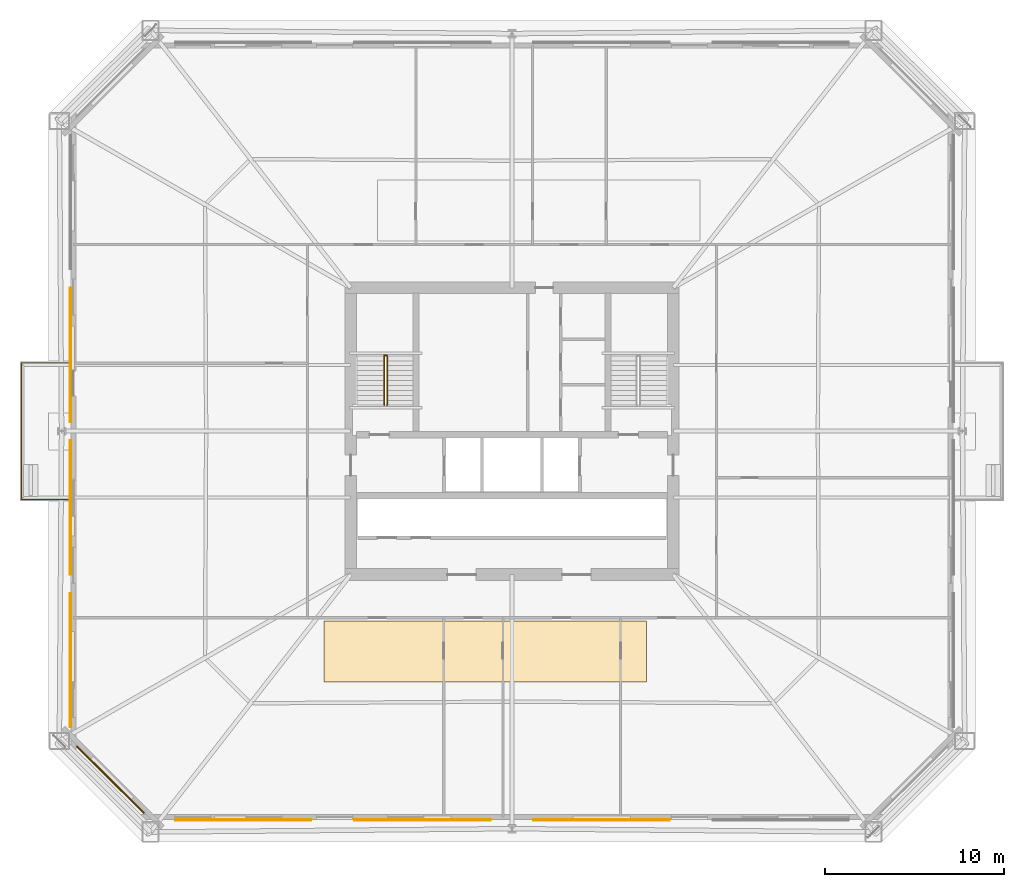
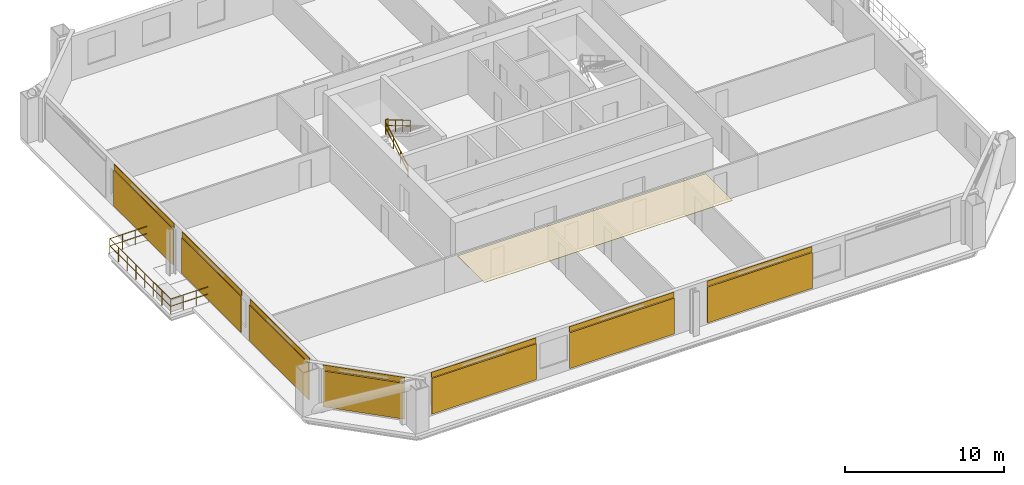
# One storey, part 9 of 11: 8 coverings, 7 shading devices, 4 railings.
"""IFC4 building model written with IfcOpenShell, lengths in metres."""

from ifc_helpers import new_model, si_unit, direction, frame, origin, origin_2d, place, context, subcontext, project, spatial, polyline, rectangle, circle, outline, extrude, material, layer, layer_set, type_object, element, save


model = new_model("IFC4")

# Units and contexts
model_context = context("Model", 3, precision=1e-05, world=origin(), true_north=direction((0.0, 1.0)))
body_context = subcontext(model_context, "Body", "Model", "MODEL_VIEW")
ifc_project = project(units=[si_unit("LENGTHUNIT", "METRE"), si_unit("AREAUNIT", "SQUARE_METRE"), si_unit("VOLUMEUNIT", "CUBIC_METRE"), si_unit("PLANEANGLEUNIT", "RADIAN"), si_unit("MASSUNIT", "GRAM", prefix="KILO")], contexts=[model_context])

# Site, building, storey
site_placement = place(None, origin())
site = spatial("IfcSite", under=ifc_project, at=site_placement, CompositionType="ELEMENT")
building_placement = place(site_placement, origin())
building = spatial("IfcBuilding", under=site, at=building_placement, Name="Caelvoria Tower", CompositionType="ELEMENT")
storey_placement = place(building_placement, frame((0.0, 0.0, 64.0)))
storey = spatial("IfcBuildingStorey", under=building, at=storey_placement, Name="L16", CompositionType="ELEMENT", Elevation=64.0)

# Railing
ifc_material_1 = material(Name="Bronze Anodised Aluminium and Stainless Steel", Category="steel")
railing_type_1 = type_object("IfcRailingType", Name="Exterior Terrace and Balcony Guardrail 1150", PredefinedType="GUARDRAIL", material=ifc_material_1)
railing_1_placement = place(storey_placement, frame((21.389892578125, 28.179931640625, 0.0)))
element("IfcRailing", 1, at=railing_1_placement, inside=storey, type_object=railing_type_1, Name="Tree Balcony Guardrail TB-L16-W", PredefinedType="GUARDRAIL", context=body_context, shape_type="SweptSolid", body=[
    extrude(circle(Radius=0.02392578125, at=origin_2d()), frame((0.0, 0.0, 1.1259765625), z_axis=(-1.0, 0.0, 0.0), x_axis=(0.0, -1.0, 0.0)), (0.0, 0.0, 1.0), 2.760009765625),
    extrude(circle(Radius=0.02392578125, at=origin_2d()), frame((0.0, 0.0, 0.574951171875), z_axis=(-1.0, 0.0, 0.0), x_axis=(0.0, -1.0, 0.0)), (0.0, 0.0, 1.0), 2.760009765625),
    extrude(circle(Radius=0.02392578125, at=origin_2d()), frame((-2.760009765625, 0.0, 1.1259765625), z_axis=(0.0, 1.0, 0.0), x_axis=(-1.0, 0.0, 0.0)), (0.0, 0.0, 1.0), 7.64013671875),
    extrude(circle(Radius=0.02392578125, at=origin_2d()), frame((-2.760009765625, 0.0, 0.574951171875), z_axis=(0.0, 1.0, 0.0), x_axis=(-1.0, 0.0, 0.0)), (0.0, 0.0, 1.0), 7.64013671875),
    extrude(circle(Radius=0.02392578125, at=origin_2d()), frame((-2.760009765625, 7.64013671875, 1.1259765625), z_axis=(1.0, 0.0, 0.0), x_axis=(0.0, 1.0, 0.0)), (0.0, 0.0, 1.0), 2.760009765625),
    extrude(circle(Radius=0.02392578125, at=origin_2d()), frame((-2.760009765625, 7.64013671875, 0.574951171875), z_axis=(1.0, 0.0, 0.0), x_axis=(0.0, 1.0, 0.0)), (0.0, 0.0, 1.0), 2.760009765625),
    extrude(circle(Radius=0.02099609375, at=origin_2d()), origin(), (0.0, 0.0, 1.0), 1.101806640625),
    extrude(circle(Radius=0.02099609375, at=origin_2d()), frame((-0.919921875, 0.0, 0.0)), (0.0, 0.0, 1.0), 1.101806640625),
    extrude(circle(Radius=0.02099609375, at=origin_2d()), frame((-1.840087890625, 0.0, 0.0)), (0.0, 0.0, 1.0), 1.101806640625),
    extrude(circle(Radius=0.02099609375, at=origin_2d()), frame((-2.760009765625, 0.0, 0.0)), (0.0, 0.0, 1.0), 1.101806640625),
    extrude(circle(Radius=0.02099609375, at=origin_2d()), frame((-2.760009765625, 1.091552734375, 0.0)), (0.0, 0.0, 1.0), 1.101806640625),
    extrude(circle(Radius=0.02099609375, at=origin_2d()), frame((-2.760009765625, 2.182861328125, 0.0)), (0.0, 0.0, 1.0), 1.101806640625),
    extrude(circle(Radius=0.02099609375, at=origin_2d()), frame((-2.760009765625, 3.2744140625, 0.0)), (0.0, 0.0, 1.0), 1.101806640625),
    extrude(circle(Radius=0.02099609375, at=origin_2d()), frame((-2.760009765625, 4.36572265625, 0.0)), (0.0, 0.0, 1.0), 1.101806640625),
    extrude(circle(Radius=0.02099609375, at=origin_2d()), frame((-2.760009765625, 5.457275390625, 0.0)), (0.0, 0.0, 1.0), 1.101806640625),
    extrude(circle(Radius=0.02099609375, at=origin_2d()), frame((-2.760009765625, 6.548583984375, 0.0)), (0.0, 0.0, 1.0), 1.101806640625),
    extrude(circle(Radius=0.02099609375, at=origin_2d()), frame((-2.760009765625, 7.64013671875, 0.0)), (0.0, 0.0, 1.0), 1.101806640625),
    extrude(circle(Radius=0.02099609375, at=origin_2d()), frame((-1.840087890625, 7.64013671875, 0.0)), (0.0, 0.0, 1.0), 1.101806640625),
    extrude(circle(Radius=0.02099609375, at=origin_2d()), frame((-0.919921875, 7.64013671875, 0.0)), (0.0, 0.0, 1.0), 1.101806640625),
    extrude(circle(Radius=0.02099609375, at=origin_2d()), frame((0.0, 7.64013671875, 0.0)), (0.0, 0.0, 1.0), 1.101806640625),
])

# Coverings
ifc_material_2 = material(Name="Acoustic Mineral Fibre Tile", Category="gypsum")
ifc_layer_1 = layer(ifc_material_2, 0.02490234375, Name="Acoustic Mineral Fibre Tile")
ifc_layer_set_1 = layer_set([ifc_layer_1], Name="Mineral-Fibre Acoustic Suspended Ceiling 25 - Acoustic Mineral Fibre Tile")
covering_type_1 = type_object("IfcCoveringType", Name="Mineral-Fibre Acoustic Suspended Ceiling 25", PredefinedType="CEILING", material=ifc_layer_set_1)
covering_1_placement = place(storey_placement, frame((0.0, 0.0, 2.635009765625)))
element("IfcCovering", 2, at=covering_1_placement, inside=storey, type_object=covering_type_1, Name="Suspended Acoustic Ceiling L16", PredefinedType="CEILING", context=body_context, shape_type="SweptSolid", body=[
    extrude(outline(polyline([(35.5, 18.0), (53.5, 18.0), (53.5, 21.39990234375), (35.5, 21.39990234375), (35.5, 18.0)])), origin(), (0.0, 0.0, 1.0), 0.02490234375),
])
ifc_material_3 = material(Name="Perforated Architectural Bronze Cladding Screen", Category="bronze")
ifc_layer_2 = layer(ifc_material_3, 0.0400390625, Name="Perforated Architectural Bronze Cladding Screen")
ifc_layer_set_2 = layer_set([ifc_layer_2], Name="Perforated Bronze Louvre Cladding Band 40 - Perforated Architectural Bronze Cladding Screen")
covering_type_2 = type_object("IfcCoveringType", Name="Perforated Bronze Louvre Cladding Band 40", PredefinedType="CLADDING", material=ifc_layer_set_2)
for number, where, z_axis, x_axis, name in (
    (3, (31.007568359375, 10.327880859375, 2.93994140625), (0.0, 0.0, 1.0), (1.0, 0.0, 0.0), "Perforated Bronze Screen Band L16-E0-00"),
    (4, (41.00244140625, 10.327880859375, 2.93994140625), (0.0, 0.0, 1.0), (1.0, 0.0, 0.0), "Perforated Bronze Screen Band L16-E0-01"),
    (5, (50.99755859375, 10.327880859375, 2.93994140625), (0.0, 0.0, 1.0), (1.0, 0.0, 0.0), "Perforated Bronze Screen Band L16-E0-02"),
):
    element("IfcCovering", number, at=place(storey_placement, frame(where, z_axis=z_axis, x_axis=x_axis)), inside=storey, type_object=covering_type_2, Name=name, PredefinedType="CLADDING", context=body_context, shape_type="SweptSolid", body=[
        extrude(rectangle(XDim=7.60009765625, YDim=0.0400390625, at=origin_2d()), origin(), (0.0, 0.0, 1.0), 0.39990234375),
    ])
for number, where, z_axis, x_axis, name in (
    (6, (21.3779296875, 36.260009765625, 2.93994140625), (0.0, 0.0, 1.0), (0.0, -1.0, 0.0), "Perforated Bronze Screen Band L16-E6-01"),
    (7, (21.3779296875, 27.739990234375, 2.93994140625), (0.0, 0.0, 1.0), (0.0, -1.0, 0.0), "Perforated Bronze Screen Band L16-E6-02"),
    (8, (21.3779296875, 19.219970703125, 2.93994140625), (0.0, 0.0, 1.0), (0.0, -1.0, 0.0), "Perforated Bronze Screen Band L16-E6-03"),
):
    element("IfcCovering", number, at=place(storey_placement, frame(where, z_axis=z_axis, x_axis=x_axis)), inside=storey, type_object=covering_type_2, Name=name, PredefinedType="CLADDING", context=body_context, shape_type="SweptSolid", body=[
        extrude(rectangle(XDim=7.49755859375, YDim=0.0400390625, at=origin_2d()), origin(), (0.0, 0.0, 1.0), 0.39990234375),
    ])
covering_2_placement = place(storey_placement, frame((23.618408203125, 12.568359375, 2.93994140625), z_axis=(0.0, 0.0, 1.0), x_axis=(0.707106781187, -0.707106781187, 0.0)))
element("IfcCovering", 9, at=covering_2_placement, inside=storey, type_object=covering_type_2, Name="Perforated Bronze Screen Band L16-E7-00", PredefinedType="CLADDING", context=body_context, shape_type="SweptSolid", body=[
    extrude(rectangle(XDim=5.309814453125, YDim=0.0400390625, at=origin_2d()), origin(), (0.0, 0.0, 1.0), 0.39990234375),
])

# Shading devices
ifc_material_4 = material(Name="Perforated Architectural Bronze Alloy Panel", Category="bronze")
ifc_layer_3 = layer(ifc_material_4, 0.044921875, Name="Perforated Architectural Bronze Alloy Panel")
ifc_layer_set_3 = layer_set([ifc_layer_3], Name="Perforated Bronze Solar Screen Panel SCREEN - Perforated Architectural Bronze Alloy Panel")
shading_device_type = type_object("IfcShadingDeviceType", Name="Perforated Bronze Solar Screen Panel SCREEN", PredefinedType="USERDEFINED", material=ifc_layer_set_3)
for number, where, z_axis, x_axis, name in (
    (10, (31.007568359375, 10.284912109375, 0.159912109375), (0.0, 0.0, 1.0), (1.0, 0.0, 0.0), "Perforated Bronze Solar Screen L16-E0-00"),
    (11, (41.00244140625, 10.284912109375, 0.159912109375), (0.0, 0.0, 1.0), (1.0, 0.0, 0.0), "Perforated Bronze Solar Screen L16-E0-01"),
    (12, (50.99755859375, 10.284912109375, 0.159912109375), (0.0, 0.0, 1.0), (1.0, 0.0, 0.0), "Perforated Bronze Solar Screen L16-E0-02"),
):
    element("IfcShadingDevice", number, at=place(storey_placement, frame(where, z_axis=z_axis, x_axis=x_axis)), inside=storey, type_object=shading_device_type, Name=name, ObjectType="SCREEN", PredefinedType="USERDEFINED", context=body_context, shape_type="SweptSolid", body=[
        extrude(rectangle(XDim=7.60009765625, YDim=0.044921875, at=origin_2d()), origin(), (0.0, 0.0, 1.0), 2.75),
    ])
for number, where, z_axis, x_axis, name in (
    (13, (21.3349609375, 36.260009765625, 0.159912109375), (0.0, 0.0, 1.0), (0.0, -1.0, 0.0), "Perforated Bronze Solar Screen L16-E6-01"),
    (14, (21.3349609375, 27.739990234375, 0.159912109375), (0.0, 0.0, 1.0), (0.0, -1.0, 0.0), "Perforated Bronze Solar Screen L16-E6-02"),
    (15, (21.3349609375, 19.219970703125, 0.159912109375), (0.0, 0.0, 1.0), (0.0, -1.0, 0.0), "Perforated Bronze Solar Screen L16-E6-03"),
):
    element("IfcShadingDevice", number, at=place(storey_placement, frame(where, z_axis=z_axis, x_axis=x_axis)), inside=storey, type_object=shading_device_type, Name=name, ObjectType="SCREEN", PredefinedType="USERDEFINED", context=body_context, shape_type="SweptSolid", body=[
        extrude(rectangle(XDim=7.49755859375, YDim=0.044921875, at=origin_2d()), origin(), (0.0, 0.0, 1.0), 2.75),
    ])
shading_device_placement = place(storey_placement, frame((23.587890625, 12.537841796875, 0.159912109375), z_axis=(0.0, 0.0, 1.0), x_axis=(0.707106781187, -0.707106781187, 0.0)))
element("IfcShadingDevice", 16, at=shading_device_placement, inside=storey, type_object=shading_device_type, Name="Perforated Bronze Solar Screen L16-E7-00", ObjectType="SCREEN", PredefinedType="USERDEFINED", context=body_context, shape_type="SweptSolid", body=[
    extrude(rectangle(XDim=5.309814453125, YDim=0.044921875, at=origin_2d()), origin(), (0.0, 0.0, 1.0), 2.75),
])

# Railings
ifc_material_5 = material(Name="Brushed Stainless Steel Tube", Category="steel")
railing_type_2 = type_object("IfcRailingType", Name="Stair Tubular Stainless Handrail 920", PredefinedType="HANDRAIL", material=ifc_material_5)
railing_2_placement = place(storey_placement, frame((38.8701171875, 33.449951171875, 0.16357421875)))
element("IfcRailing", 17, at=railing_2_placement, inside=storey, type_object=railing_type_2, Name="ST-01 Flight 1 Handrail L16", PredefinedType="HANDRAIL", context=body_context, shape_type="SweptSolid", body=[
    extrude(circle(Radius=0.02392578125, at=origin_2d()), frame((0.0, 0.0, 0.89599609375), z_axis=(0.0, 0.859351957796, 0.511384603436), x_axis=(-1.0, 0.0, 0.0)), (0.0, 0.0, 1.0), 3.2001953125),
    extrude(circle(Radius=0.02392578125, at=origin_2d()), frame((0.0, 0.0, 0.4599609375), z_axis=(0.0, 0.859351957796, 0.511384603436), x_axis=(-1.0, 0.0, 0.0)), (0.0, 0.0, 1.0), 3.2001953125),
    extrude(circle(Radius=0.02099609375, at=origin_2d()), origin(), (0.0, 0.0, 1.0), 0.871826171875),
    extrude(circle(Radius=0.02099609375, at=origin_2d()), frame((0.0, 0.916748046875, 0.54541015625)), (0.0, 0.0, 1.0), 0.871826171875),
    extrude(circle(Radius=0.02099609375, at=origin_2d()), frame((0.0, 1.833251953125, 1.091064453125)), (0.0, 0.0, 1.0), 0.871826171875),
    extrude(circle(Radius=0.02099609375, at=origin_2d()), frame((0.0, 2.75, 1.636474609375)), (0.0, 0.0, 1.0), 0.871826171875),
])
railing_3_placement = place(storey_placement, frame((39.030029296875, 36.199951171875, 1.963623046875)))
element("IfcRailing", 18, at=railing_3_placement, inside=storey, type_object=railing_type_2, Name="ST-01 Flight 2 Handrail L16", PredefinedType="HANDRAIL", context=body_context, shape_type="SweptSolid", body=[
    extrude(circle(Radius=0.02392578125, at=origin_2d()), frame((0.0, 0.0, 0.89599609375), z_axis=(0.0, -0.859351957796, 0.511384603436), x_axis=(1.0, 0.0, 0.0)), (0.0, 0.0, 1.0), 3.2001953125),
    extrude(circle(Radius=0.02392578125, at=origin_2d()), frame((0.0, 0.0, 0.4599609375), z_axis=(0.0, -0.859351957796, 0.511384603436), x_axis=(1.0, 0.0, 0.0)), (0.0, 0.0, 1.0), 3.2001953125),
    extrude(circle(Radius=0.02099609375, at=origin_2d()), origin(), (0.0, 0.0, 1.0), 0.871826171875),
    extrude(circle(Radius=0.02099609375, at=origin_2d()), frame((0.0, -0.916748046875, 0.54541015625)), (0.0, 0.0, 1.0), 0.871826171875),
    extrude(circle(Radius=0.02099609375, at=origin_2d()), frame((0.0, -1.833251953125, 1.091064453125)), (0.0, 0.0, 1.0), 0.871826171875),
    extrude(circle(Radius=0.02099609375, at=origin_2d()), frame((0.0, -2.75, 1.636474609375)), (0.0, 0.0, 1.0), 0.871826171875),
])
ifc_material_6 = material(Name="Brushed Stainless Steel Guardrail", Category="steel")
railing_type_3 = type_object("IfcRailingType", Name="Stair Well and Ramp Guardrail 1120", PredefinedType="GUARDRAIL", material=ifc_material_6)
railing_4_placement = place(storey_placement, frame((38.8701171875, 36.239990234375, 1.800048828125)))
element("IfcRailing", 19, at=railing_4_placement, inside=storey, type_object=railing_type_3, Name="ST-01 Half-Landing Well Guard L16", PredefinedType="GUARDRAIL", context=body_context, shape_type="SweptSolid", body=[
    extrude(circle(Radius=0.02392578125, at=origin_2d()), frame((0.0, 0.0, 1.09619140625), z_axis=(1.0, 0.0, 0.0), x_axis=(0.0, 1.0, 0.0)), (0.0, 0.0, 1.0), 0.159912109375),
    extrude(circle(Radius=0.02392578125, at=origin_2d()), frame((0.0, 0.0, 0.56005859375), z_axis=(1.0, 0.0, 0.0), x_axis=(0.0, 1.0, 0.0)), (0.0, 0.0, 1.0), 0.159912109375),
    extrude(circle(Radius=0.02099609375, at=origin_2d()), origin(), (0.0, 0.0, 1.0), 1.072021484375),
    extrude(circle(Radius=0.02099609375, at=origin_2d()), frame((0.159912109375, 0.0, 0.0)), (0.0, 0.0, 1.0), 1.072021484375),
])

save(model, "model.ifc")
